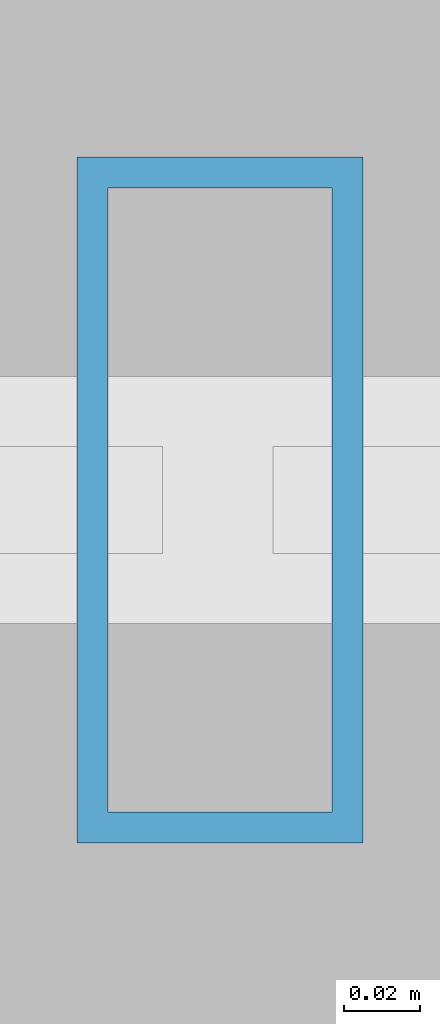
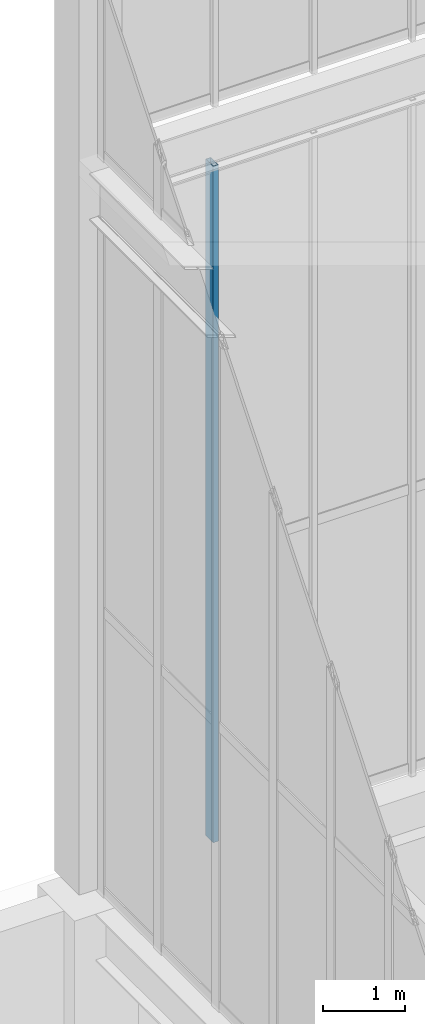
# One storey, part 109 of 135: 1 member, 1 element without a shape of its own.
"""IFC4 building model written with IfcOpenShell, lengths in metres."""

from ifc_helpers import new_model, si_unit, direction, frame, origin, origin_2d, place, context, subcontext, project, spatial, hollow_rectangle, extrude, source, transform, mapped, material, layer, layer_set, material_profile, profile_set, type_object, element, aggregate, save


model = new_model("IFC4")

# Units and contexts
model_context = context("Model", 3, precision=1e-05, world=origin(), true_north=direction((0.0, 1.0)))
body_context = subcontext(model_context, "Body", "Model", "MODEL_VIEW")
ifc_project = project(units=[si_unit("LENGTHUNIT", "METRE"), si_unit("AREAUNIT", "SQUARE_METRE"), si_unit("VOLUMEUNIT", "CUBIC_METRE"), si_unit("PLANEANGLEUNIT", "RADIAN"), si_unit("MASSUNIT", "GRAM", prefix="KILO")], contexts=[model_context])

# Site, building, storey
site_placement = place(None, origin())
site = spatial("IfcSite", under=ifc_project, at=site_placement, CompositionType="ELEMENT")
building_placement = place(site_placement, origin())
building = spatial("IfcBuilding", under=site, at=building_placement, Name="Giltprow Tower", CompositionType="ELEMENT")
storey_placement = place(building_placement, frame((0.0, 0.0, 352.699951171875)))
storey = spatial("IfcBuildingStorey", under=building, at=storey_placement, Name="L92", CompositionType="ELEMENT", Elevation=352.699951171875)

# Curtain wall, member
ifc_material = material(Name="Anodized bronze", Category="metal")
ifc_layer = layer(ifc_material, 0.179931640625, Name="Anodized bronze")
ifc_layer_set = layer_set([ifc_layer], Name="Anodized bronze")
curtain_wall_type = type_object("IfcCurtainWallType", Name="CW-CROWN-LANTERN", PredefinedType="NOTDEFINED", material=ifc_layer_set)
curtain_wall_placement = place(storey_placement, origin())
curtain_wall = element("IfcCurtainWall", 1, at=curtain_wall_placement, inside=storey, type_object=curtain_wall_type, Name="Crown East Lower Lantern Glazing 4", PredefinedType="NOTDEFINED")
ifc_material_profile = material_profile(ifc_material, hollow_rectangle(XDim=0.074951171875, YDim=0.179931640625, WallThickness=0.008056640625, at=origin_2d()), Name="RHS 180x75x8")
ifc_profile_set = profile_set([ifc_material_profile], Name="Anodized bronze")
member_type = type_object("IfcMemberType", Name="CW-MULLION-180x75", PredefinedType="MULLION", material=ifc_profile_set)
shared_shape = source(origin(), body_context, "Body", "SweptSolid", [
    extrude(hollow_rectangle(XDim=0.074951171875, YDim=0.179931640625, WallThickness=0.008056640625, at=origin_2d()), origin(), (0.0, 0.0, 1.0), 10.030029296875),
])
member_placement = place(storey_placement, frame((46.0380859375, 46.550048828125, 6.35009765625), z_axis=(0.0, 0.0, 1.0), x_axis=(1.0, 0.0, 0.0)))
member = element("IfcMember", 2, at=member_placement, type_object=member_type, Name="Crown East Lower Lantern Glazing 4 Mullion 4", PredefinedType="MULLION", context=body_context, shape_type="MappedRepresentation", body=[
    mapped(shared_shape, transform((0.0, 0.0, 0.0), x_axis=(1.0, 0.0, 0.0), y_axis=(0.0, 1.0, 0.0), z_axis=(0.0, 0.0, 1.0), scale=1.0)),
])
aggregate(curtain_wall, [member])

save(model, "model.ifc")
